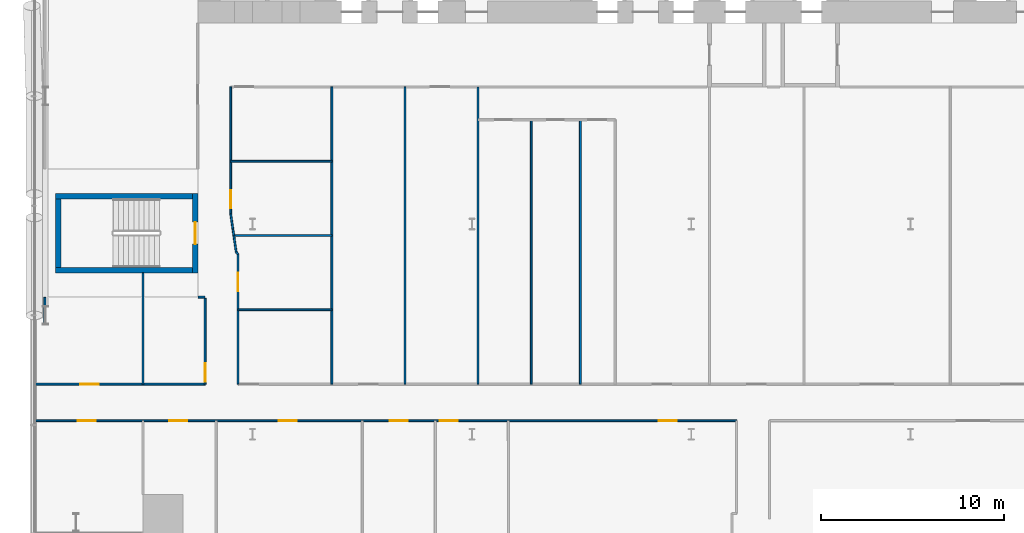
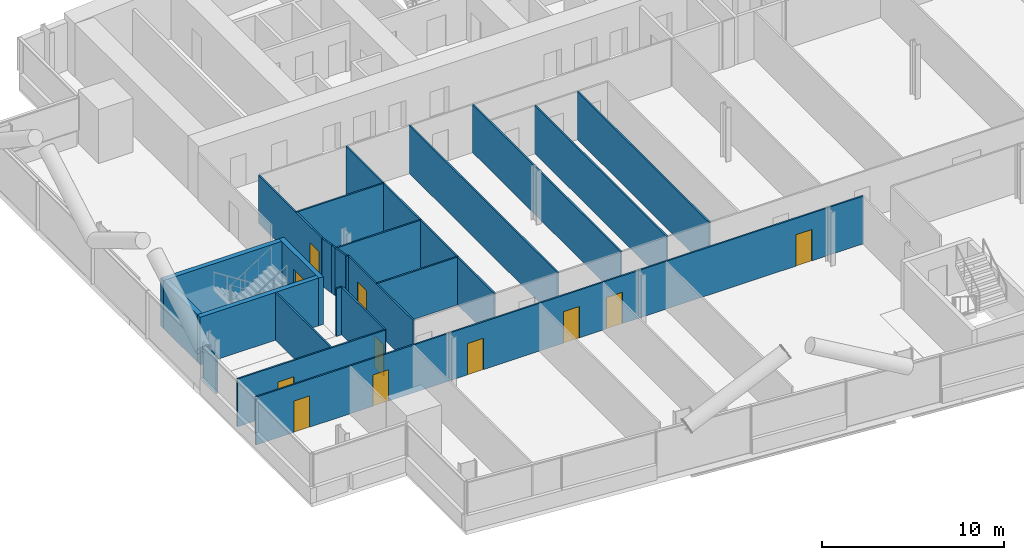
# One storey, part 13 of 27: 24 walls, 11 doors, 11 openings.
"""IFC4 building model written with IfcOpenShell, lengths in metres."""

from ifc_helpers import new_model, si_unit, direction, frame, frame_2d, origin, place, context, subcontext, project, spatial, rectangle, extrude, material, layer, layer_set, type_object, element, fill, save


model = new_model("IFC4")

# Units and contexts
model_context = context("Model", 3, precision=1e-05, world=origin(), true_north=direction((0.0, 1.0)))
body_context = subcontext(model_context, "Body", "Model", "MODEL_VIEW")
ifc_project = project(units=[si_unit("LENGTHUNIT", "METRE"), si_unit("AREAUNIT", "SQUARE_METRE"), si_unit("VOLUMEUNIT", "CUBIC_METRE"), si_unit("PLANEANGLEUNIT", "RADIAN"), si_unit("MASSUNIT", "GRAM", prefix="KILO")], contexts=[model_context])

# Site, building, storey
site_placement = place(None, origin())
site = spatial("IfcSite", under=ifc_project, at=site_placement, CompositionType="ELEMENT")
building_placement = place(site_placement, origin())
building = spatial("IfcBuilding", under=site, at=building_placement, Name="Wharfspan Tower", CompositionType="ELEMENT")
storey_placement = place(building_placement, frame((0.0, 0.0, 45.100098)))
storey = spatial("IfcBuildingStorey", under=building, at=storey_placement, Name="L07", CompositionType="ELEMENT", Elevation=45.100098)

# Wall, openings, doors
ifc_material_1 = material(Name="Gypsum board on steel studs", Category="steel")
ifc_layer_1 = layer(ifc_material_1, 0.100098)
ifc_layer_set_1 = layer_set([ifc_layer_1], Name="Gypsum board on steel studs")
wall_type_1 = type_object("IfcWallType", Name="Compartment wall 100 EI 60", PredefinedType="PARTITIONING", material=ifc_layer_set_1)
wall_1_placement = place(storey_placement, frame((0.02002, 12.235107, 0.0), z_axis=(0.0, 0.0, 1.0), x_axis=(1.0, 0.0, 0.0)))
wall_1 = element("IfcWall", 1, at=wall_1_placement, inside=storey, type_object=wall_type_1, Name="Partition L07.w001", PredefinedType="PARTITIONING", context=body_context, shape_type="SweptSolid", body=[
    extrude(rectangle(XDim=38.459961, YDim=0.100098, at=frame_2d((19.22998, 0.0))), origin(), (0.0, 0.0, 1.0), 3.199951),
])
opening_1_placement = place(wall_1_placement, frame((2.405029, 0.0, 0.0)))
opening_1 = element("IfcOpeningElement", 2, at=opening_1_placement, cuts=wall_1, Name="Opening A1-02", PredefinedType="OPENING", context=body_context, shape_type="SweptSolid", body=[
    extrude(rectangle(XDim=1.0, YDim=2.100098, at=frame_2d((0.5, 1.050049))), frame((0.0, 0.060059, 0.0), z_axis=(0.0, -1.0, 0.0), x_axis=(1.0, 0.0, 0.0)), (0.0, 0.0, 1.0), 0.120117),
])
opening_2_placement = place(wall_1_placement, frame((7.405029, 0.0, 0.0)))
opening_2 = element("IfcOpeningElement", 3, at=opening_2_placement, cuts=wall_1, Name="Opening A1-03", PredefinedType="OPENING", context=body_context, shape_type="SweptSolid", body=[
    extrude(rectangle(XDim=1.0, YDim=2.100098, at=frame_2d((0.5, 1.050049))), frame((0.0, 0.060059, 0.0), z_axis=(0.0, -1.0, 0.0), x_axis=(1.0, 0.0, 0.0)), (0.0, 0.0, 1.0), 0.120117),
])
opening_3_placement = place(wall_1_placement, frame((13.405029, 0.0, 0.0)))
opening_3 = element("IfcOpeningElement", 4, at=opening_3_placement, cuts=wall_1, Name="Opening A1-04", PredefinedType="OPENING", context=body_context, shape_type="SweptSolid", body=[
    extrude(rectangle(XDim=1.0, YDim=2.100098, at=frame_2d((0.5, 1.050049))), frame((0.0, 0.060059, 0.0), z_axis=(0.0, -1.0, 0.0), x_axis=(1.0, 0.0, 0.0)), (0.0, 0.0, 1.0), 0.120117),
])
opening_4_placement = place(wall_1_placement, frame((19.47998, 0.0, 0.0)))
opening_4 = element("IfcOpeningElement", 5, at=opening_4_placement, cuts=wall_1, Name="Opening A1-05", PredefinedType="OPENING", context=body_context, shape_type="SweptSolid", body=[
    extrude(rectangle(XDim=1.0, YDim=2.100098, at=frame_2d((0.5, 1.050049))), frame((0.0, 0.060059, 0.0), z_axis=(0.0, -1.0, 0.0), x_axis=(1.0, 0.0, 0.0)), (0.0, 0.0, 1.0), 0.120117),
])
opening_5_placement = place(wall_1_placement, frame((22.205078, 0.0, 0.0)))
opening_5 = element("IfcOpeningElement", 6, at=opening_5_placement, cuts=wall_1, Name="Opening A1-06", PredefinedType="OPENING", context=body_context, shape_type="SweptSolid", body=[
    extrude(rectangle(XDim=1.0, YDim=2.100098, at=frame_2d((0.5, 1.050049))), frame((0.0, 0.060059, 0.0), z_axis=(0.0, -1.0, 0.0), x_axis=(1.0, 0.0, 0.0)), (0.0, 0.0, 1.0), 0.120117),
])
opening_6_placement = place(wall_1_placement, frame((34.199951, 0.0, 0.0)))
opening_6 = element("IfcOpeningElement", 7, at=opening_6_placement, cuts=wall_1, Name="Opening A1-07", PredefinedType="OPENING", context=body_context, shape_type="SweptSolid", body=[
    extrude(rectangle(XDim=1.0, YDim=2.100098, at=frame_2d((0.5, 1.050049))), frame((0.0, 0.060059, 0.0), z_axis=(0.0, -1.0, 0.0), x_axis=(1.0, 0.0, 0.0)), (0.0, 0.0, 1.0), 0.120117),
])
ifc_material_2 = material(Name="Fire-rated timber door leaf in steel frame", Category="steel")
door_type_1 = type_object("IfcDoorType", Name="Door 1000 FD30S Left", OperationType="SINGLE_SWING_LEFT", PredefinedType="DOOR", material=ifc_material_2)
door_1_placement = place(opening_1_placement, origin())
door_1 = element("IfcDoor", 8, at=door_1_placement, inside=storey, type_object=door_type_1, Name="Door A1-02", OperationType="SINGLE_SWING_LEFT", OverallHeight=2.100098, OverallWidth=1.0, PredefinedType="DOOR", context=body_context, shape_type="SweptSolid", body=[
    extrude(rectangle(XDim=1.0, YDim=2.100098, at=frame_2d((0.5, 1.050049))), frame((0.0, 0.024902, 0.0), z_axis=(0.0, -1.0, 0.0), x_axis=(1.0, 0.0, 0.0)), (0.0, 0.0, 1.0), 0.050049),
])
fill(opening_1, door_1)
door_2_placement = place(opening_2_placement, origin())
door_2 = element("IfcDoor", 9, at=door_2_placement, inside=storey, type_object=door_type_1, Name="Door A1-03", OperationType="SINGLE_SWING_LEFT", OverallHeight=2.100098, OverallWidth=1.0, PredefinedType="DOOR", context=body_context, shape_type="SweptSolid", body=[
    extrude(rectangle(XDim=1.0, YDim=2.100098, at=frame_2d((0.5, 1.050049))), frame((0.0, 0.024902, 0.0), z_axis=(0.0, -1.0, 0.0), x_axis=(1.0, 0.0, 0.0)), (0.0, 0.0, 1.0), 0.050049),
])
fill(opening_2, door_2)
door_3_placement = place(opening_3_placement, origin())
door_3 = element("IfcDoor", 10, at=door_3_placement, inside=storey, type_object=door_type_1, Name="Door A1-04", OperationType="SINGLE_SWING_LEFT", OverallHeight=2.100098, OverallWidth=1.0, PredefinedType="DOOR", context=body_context, shape_type="SweptSolid", body=[
    extrude(rectangle(XDim=1.0, YDim=2.100098, at=frame_2d((0.5, 1.050049))), frame((0.0, 0.024902, 0.0), z_axis=(0.0, -1.0, 0.0), x_axis=(1.0, 0.0, 0.0)), (0.0, 0.0, 1.0), 0.050049),
])
fill(opening_3, door_3)
door_type_2 = type_object("IfcDoorType", Name="Door 1000 FD30S Right", OperationType="SINGLE_SWING_RIGHT", PredefinedType="DOOR", material=ifc_material_2)
door_4_placement = place(opening_4_placement, origin())
door_4 = element("IfcDoor", 11, at=door_4_placement, inside=storey, type_object=door_type_2, Name="Door A1-05", OperationType="SINGLE_SWING_RIGHT", OverallHeight=2.100098, OverallWidth=1.0, PredefinedType="DOOR", context=body_context, shape_type="SweptSolid", body=[
    extrude(rectangle(XDim=1.0, YDim=2.100098, at=frame_2d((0.5, 1.050049))), frame((0.0, 0.024902, 0.0), z_axis=(0.0, -1.0, 0.0), x_axis=(1.0, 0.0, 0.0)), (0.0, 0.0, 1.0), 0.050049),
])
fill(opening_4, door_4)
door_5_placement = place(opening_5_placement, origin())
door_5 = element("IfcDoor", 12, at=door_5_placement, inside=storey, type_object=door_type_2, Name="Door A1-06", OperationType="SINGLE_SWING_RIGHT", OverallHeight=2.100098, OverallWidth=1.0, PredefinedType="DOOR", context=body_context, shape_type="SweptSolid", body=[
    extrude(rectangle(XDim=1.0, YDim=2.100098, at=frame_2d((0.5, 1.050049))), frame((0.0, 0.024902, 0.0), z_axis=(0.0, -1.0, 0.0), x_axis=(1.0, 0.0, 0.0)), (0.0, 0.0, 1.0), 0.050049),
])
fill(opening_5, door_5)
door_6_placement = place(opening_6_placement, origin())
door_6 = element("IfcDoor", 13, at=door_6_placement, inside=storey, type_object=door_type_2, Name="Door A1-07", OperationType="SINGLE_SWING_RIGHT", OverallHeight=2.100098, OverallWidth=1.0, PredefinedType="DOOR", context=body_context, shape_type="SweptSolid", body=[
    extrude(rectangle(XDim=1.0, YDim=2.100098, at=frame_2d((0.5, 1.050049))), frame((0.0, 0.024902, 0.0), z_axis=(0.0, -1.0, 0.0), x_axis=(1.0, 0.0, 0.0)), (0.0, 0.0, 1.0), 0.050049),
])
fill(opening_6, door_6)

# Wall, opening, door
wall_2_placement = place(storey_placement, frame((0.02002, 14.23999, 0.0), z_axis=(0.0, 0.0, 1.0), x_axis=(1.0, 0.0, 0.0)))
wall_2 = element("IfcWall", 14, at=wall_2_placement, inside=storey, type_object=wall_type_1, Name="Partition L07.w002", PredefinedType="PARTITIONING", context=body_context, shape_type="SweptSolid", body=[
    extrude(rectangle(XDim=9.379883, YDim=0.100098, at=frame_2d((4.689941, 0.0))), origin(), (0.0, 0.0, 1.0), 3.199951),
])
opening_7_placement = place(wall_2_placement, frame((2.560059, 0.0, 0.0)))
opening_7 = element("IfcOpeningElement", 15, at=opening_7_placement, cuts=wall_2, Name="Opening A1-10", PredefinedType="OPENING", context=body_context, shape_type="SweptSolid", body=[
    extrude(rectangle(XDim=1.0, YDim=2.100098, at=frame_2d((0.5, 1.050049))), frame((0.0, 0.060059, 0.0), z_axis=(0.0, -1.0, 0.0), x_axis=(1.0, 0.0, 0.0)), (0.0, 0.0, 1.0), 0.120117),
])
door_7_placement = place(opening_7_placement, origin())
door_7 = element("IfcDoor", 16, at=door_7_placement, inside=storey, type_object=door_type_1, Name="Door A1-10", OperationType="SINGLE_SWING_LEFT", OverallHeight=2.100098, OverallWidth=1.0, PredefinedType="DOOR", context=body_context, shape_type="SweptSolid", body=[
    extrude(rectangle(XDim=1.0, YDim=2.100098, at=frame_2d((0.5, 1.050049))), frame((0.0, 0.024902, 0.0), z_axis=(0.0, -1.0, 0.0), x_axis=(1.0, 0.0, 0.0)), (0.0, 0.0, 1.0), 0.050049),
])
fill(opening_7, door_7)

# Walls
wall_3_placement = place(storey_placement, frame((6.0, 14.23999, 0.0), z_axis=(0.0, 0.0, 1.0), x_axis=(0.0, 1.0, 0.0)))
element("IfcWall", 17, at=wall_3_placement, inside=storey, type_object=wall_type_1, Name="Partition L07.w007", PredefinedType="PARTITIONING", context=body_context, shape_type="SweptSolid", body=[
    extrude(rectangle(XDim=6.084961, YDim=0.100098, at=frame_2d((3.04248, 0.0))), origin(), (0.0, 0.0, 1.0), 3.199951),
])
wall_4_placement = place(storey_placement, frame((9.02002, 19.0, 0.0), z_axis=(0.0, 0.0, 1.0), x_axis=(1.0, 0.0, 0.0)))
element("IfcWall", 18, at=wall_4_placement, inside=storey, type_object=wall_type_1, Name="Partition L07.w009", PredefinedType="PARTITIONING", context=body_context, shape_type="SweptSolid", body=[
    extrude(rectangle(XDim=0.369873, YDim=0.100098, at=frame_2d((0.185059, 0.0))), origin(), (0.0, 0.0, 1.0), 3.199951),
])

# Wall, opening, door
wall_5_placement = place(storey_placement, frame((9.399902, 14.23999, 0.0), z_axis=(0.0, 0.0, 1.0), x_axis=(0.0, 1.0, 0.0)))
wall_5 = element("IfcWall", 19, at=wall_5_placement, inside=storey, type_object=wall_type_1, Name="Partition L07.w010", PredefinedType="PARTITIONING", context=body_context, shape_type="SweptSolid", body=[
    extrude(rectangle(XDim=4.689941, YDim=0.100098, at=frame_2d((2.344971, 0.0))), origin(), (0.0, 0.0, 1.0), 3.199951),
])
opening_8_placement = place(wall_5_placement, frame((0.140381, 0.0, 0.0)))
opening_8 = element("IfcOpeningElement", 20, at=opening_8_placement, cuts=wall_5, Name="Opening A1-19", PredefinedType="OPENING", context=body_context, shape_type="SweptSolid", body=[
    extrude(rectangle(XDim=1.0, YDim=2.100098, at=frame_2d((0.5, 1.050049))), frame((0.0, 0.060059, 0.0), z_axis=(0.0, -1.0, 0.0), x_axis=(1.0, 0.0, 0.0)), (0.0, 0.0, 1.0), 0.120117),
])
door_8_placement = place(opening_8_placement, origin())
door_8 = element("IfcDoor", 21, at=door_8_placement, inside=storey, type_object=door_type_1, Name="Door A1-19", OperationType="SINGLE_SWING_LEFT", OverallHeight=2.100098, OverallWidth=1.0, PredefinedType="DOOR", context=body_context, shape_type="SweptSolid", body=[
    extrude(rectangle(XDim=1.0, YDim=2.100098, at=frame_2d((0.5, 1.050049))), frame((0.0, 0.024902, 0.0), z_axis=(0.0, -1.0, 0.0), x_axis=(1.0, 0.0, 0.0)), (0.0, 0.0, 1.0), 0.050049),
])
fill(opening_8, door_8)

wall_6_placement = place(storey_placement, frame((10.800049, 23.550049, 0.0), z_axis=(0.0, 0.0, 1.0), x_axis=(0.0, 1.0, 0.0)))
wall_6 = element("IfcWall", 22, at=wall_6_placement, inside=storey, type_object=wall_type_1, Name="Partition L07.w012", PredefinedType="PARTITIONING", context=body_context, shape_type="SweptSolid", body=[
    extrude(rectangle(XDim=6.949951, YDim=0.100098, at=frame_2d((3.475098, 0.0))), origin(), (0.0, 0.0, 1.0), 3.199951),
])
opening_9_placement = place(wall_6_placement, frame((0.307861, 0.0, 0.0)))
opening_9 = element("IfcOpeningElement", 23, at=opening_9_placement, cuts=wall_6, Name="Opening A1-21", PredefinedType="OPENING", context=body_context, shape_type="SweptSolid", body=[
    extrude(rectangle(XDim=1.0, YDim=2.100098, at=frame_2d((0.5, 1.050049))), frame((0.0, 0.060059, 0.0), z_axis=(0.0, -1.0, 0.0), x_axis=(1.0, 0.0, 0.0)), (0.0, 0.0, 1.0), 0.120117),
])
door_9_placement = place(opening_9_placement, origin())
door_9 = element("IfcDoor", 24, at=door_9_placement, inside=storey, type_object=door_type_1, Name="Door A1-21", OperationType="SINGLE_SWING_LEFT", OverallHeight=2.100098, OverallWidth=1.0, PredefinedType="DOOR", context=body_context, shape_type="SweptSolid", body=[
    extrude(rectangle(XDim=1.0, YDim=2.100098, at=frame_2d((0.5, 1.050049))), frame((0.0, 0.024902, 0.0), z_axis=(0.0, -1.0, 0.0), x_axis=(1.0, 0.0, 0.0)), (0.0, 0.0, 1.0), 0.050049),
])
fill(opening_9, door_9)

# Walls
wall_7_placement = place(storey_placement, frame((10.800049, 26.435059, 0.0), z_axis=(0.0, 0.0, 1.0), x_axis=(1.0, 0.0, 0.0)))
element("IfcWall", 25, at=wall_7_placement, inside=storey, type_object=wall_type_1, Name="Partition L07.w013", PredefinedType="PARTITIONING", context=body_context, shape_type="SweptSolid", body=[
    extrude(rectangle(XDim=5.534912, YDim=0.100098, at=frame_2d((2.767578, 0.0))), origin(), (0.0, 0.0, 1.0), 3.199951),
])
wall_8_placement = place(storey_placement, frame((10.919922, 22.705078, 0.0), z_axis=(0.0, 0.0, 1.0), x_axis=(-0.14046, 0.990086, 0.0)))
element("IfcWall", 26, at=wall_8_placement, inside=storey, type_object=wall_type_1, Name="Partition L07.w015", PredefinedType="PARTITIONING", context=body_context, shape_type="SweptSolid", body=[
    extrude(rectangle(XDim=0.853516, YDim=0.100098, at=frame_2d((0.426758, 0.0))), origin(), (0.0, 0.0, 1.0), 3.199951),
])
wall_9_placement = place(storey_placement, frame((10.969971, 22.370117, 0.0), z_axis=(0.0, 0.0, 1.0), x_axis=(-0.147776, 0.989018, 0.0)))
element("IfcWall", 27, at=wall_9_placement, inside=storey, type_object=wall_type_1, Name="Partition L07.w016", PredefinedType="PARTITIONING", context=body_context, shape_type="SweptSolid", body=[
    extrude(rectangle(XDim=0.338623, YDim=0.100098, at=frame_2d((0.169434, 0.0))), origin(), (0.0, 0.0, 1.0), 3.199951),
])
wall_10_placement = place(storey_placement, frame((10.969971, 22.370117, 0.0), z_axis=(0.0, 0.0, 1.0), x_axis=(1.0, 0.0, 0.0)))
element("IfcWall", 28, at=wall_10_placement, inside=storey, type_object=wall_type_1, Name="Partition L07.w017", PredefinedType="PARTITIONING", context=body_context, shape_type="SweptSolid", body=[
    extrude(rectangle(XDim=5.36499, YDim=0.100098, at=frame_2d((2.682617, 0.0))), origin(), (0.0, 0.0, 1.0), 3.199951),
])
wall_11_placement = place(storey_placement, frame((11.100098, 21.465088, 0.0), z_axis=(0.0, 0.0, 1.0), x_axis=(-0.142318, 0.989818, 0.0)))
element("IfcWall", 29, at=wall_11_placement, inside=storey, type_object=wall_type_1, Name="Partition L07.w018", PredefinedType="PARTITIONING", context=body_context, shape_type="SweptSolid", body=[
    extrude(rectangle(XDim=0.914307, YDim=0.100098, at=frame_2d((0.457031, 0.0))), origin(), (0.0, 0.0, 1.0), 3.199951),
])

# Wall, opening, door
wall_12_placement = place(storey_placement, frame((11.199951, 14.23999, 0.0), z_axis=(0.0, 0.0, 1.0), x_axis=(0.0, 1.0, 0.0)))
wall_12 = element("IfcWall", 30, at=wall_12_placement, inside=storey, type_object=wall_type_1, Name="Partition L07.w019", PredefinedType="PARTITIONING", context=body_context, shape_type="SweptSolid", body=[
    extrude(rectangle(XDim=7.110107, YDim=0.100098, at=frame_2d((3.555176, 0.0))), origin(), (0.0, 0.0, 1.0), 3.199951),
])
opening_10_placement = place(wall_12_placement, frame((5.084961, 0.0, 0.0)))
opening_10 = element("IfcOpeningElement", 31, at=opening_10_placement, cuts=wall_12, Name="Opening A1-20", PredefinedType="OPENING", context=body_context, shape_type="SweptSolid", body=[
    extrude(rectangle(XDim=1.0, YDim=2.100098, at=frame_2d((0.5, 1.050049))), frame((0.0, 0.060059, 0.0), z_axis=(0.0, -1.0, 0.0), x_axis=(1.0, 0.0, 0.0)), (0.0, 0.0, 1.0), 0.120117),
])
door_10_placement = place(opening_10_placement, origin())
door_10 = element("IfcDoor", 32, at=door_10_placement, inside=storey, type_object=door_type_2, Name="Door A1-20", OperationType="SINGLE_SWING_RIGHT", OverallHeight=2.100098, OverallWidth=1.0, PredefinedType="DOOR", context=body_context, shape_type="SweptSolid", body=[
    extrude(rectangle(XDim=1.0, YDim=2.100098, at=frame_2d((0.5, 1.050049))), frame((0.0, 0.024902, 0.0), z_axis=(0.0, -1.0, 0.0), x_axis=(1.0, 0.0, 0.0)), (0.0, 0.0, 1.0), 0.050049),
])
fill(opening_10, door_10)

# Walls
wall_13_placement = place(storey_placement, frame((11.199951, 18.304932, 0.0), z_axis=(0.0, 0.0, 1.0), x_axis=(1.0, 0.0, 0.0)))
element("IfcWall", 33, at=wall_13_placement, inside=storey, type_object=wall_type_1, Name="Partition L07.w021", PredefinedType="PARTITIONING", context=body_context, shape_type="SweptSolid", body=[
    extrude(rectangle(XDim=5.13501, YDim=0.100098, at=frame_2d((2.567383, 0.0))), origin(), (0.0, 0.0, 1.0), 3.199951),
])
wall_14_placement = place(storey_placement, frame((11.199951, 21.350098, 0.0), z_axis=(0.0, 0.0, 1.0), x_axis=(-0.65566, 0.755051, 0.0)))
element("IfcWall", 34, at=wall_14_placement, inside=storey, type_object=wall_type_1, Name="Partition L07.w022", PredefinedType="PARTITIONING", context=body_context, shape_type="SweptSolid", body=[
    extrude(rectangle(XDim=0.152344, YDim=0.100098, at=frame_2d((0.076172, 0.0))), origin(), (0.0, 0.0, 1.0), 3.199951),
])
for number, where, z_axis, x_axis, name in (
    (35, (16.334961, 14.23999, 0.0), (0.0, 0.0, 1.0), (0.0, 1.0, 0.0), "Partition L07.w023"),
    (36, (20.334961, 14.23999, 0.0), (0.0, 0.0, 1.0), (0.0, 1.0, 0.0), "Partition L07.w025"),
):
    element("IfcWall", number, at=place(storey_placement, frame(where, z_axis=z_axis, x_axis=x_axis)), inside=storey, type_object=wall_type_1, Name=name, PredefinedType="PARTITIONING", context=body_context, shape_type="SweptSolid", body=[
        extrude(rectangle(XDim=16.26001, YDim=0.100098, at=frame_2d((8.129883, 0.0))), origin(), (0.0, 0.0, 1.0), 3.199951),
    ])
wall_15_placement = place(storey_placement, frame((24.334961, 14.23999, 0.0), z_axis=(0.0, 0.0, 1.0), x_axis=(0.0, 1.0, 0.0)))
element("IfcWall", 37, at=wall_15_placement, inside=storey, type_object=wall_type_1, Name="Partition L07.w028", PredefinedType="PARTITIONING", context=body_context, shape_type="SweptSolid", body=[
    extrude(rectangle(XDim=16.25, YDim=0.100098, at=frame_2d((8.125, 0.0))), origin(), (0.0, 0.0, 1.0), 3.199951),
])
for number, where, z_axis, x_axis, name in (
    (38, (27.245117, 14.23999, 0.0), (0.0, 0.0, 1.0), (0.0, 1.0, 0.0), "Partition L07.w031"),
    (39, (29.935059, 14.23999, 0.0), (0.0, 0.0, 1.0), (0.0, 1.0, 0.0), "Partition L07.w032"),
):
    element("IfcWall", number, at=place(storey_placement, frame(where, z_axis=z_axis, x_axis=x_axis)), inside=storey, type_object=wall_type_1, Name=name, PredefinedType="PARTITIONING", context=body_context, shape_type="SweptSolid", body=[
        extrude(rectangle(XDim=14.459961, YDim=0.100098, at=frame_2d((7.22998, 0.0))), origin(), (0.0, 0.0, 1.0), 3.199951),
    ])
ifc_layer_2 = layer(ifc_material_1, 0.100098)
ifc_layer_set_2 = layer_set([ifc_layer_2], Name="Gypsum board on steel studs")
wall_type_2 = type_object("IfcWallType", Name="Partition 100", PredefinedType="PARTITIONING", material=ifc_layer_set_2)
wall_16_placement = place(storey_placement, frame((0.629883, 17.5, 0.0), z_axis=(0.0, 0.0, 1.0), x_axis=(0.0, 1.0, 0.0)))
element("IfcWall", 40, at=wall_16_placement, inside=storey, type_object=wall_type_2, Name="Partition L07.w003", PredefinedType="PARTITIONING", context=body_context, shape_type="SweptSolid", body=[
    extrude(rectangle(XDim=1.47998, YDim=0.100098, at=frame_2d((0.73999, 0.0))), origin(), (0.0, 0.0, 1.0), 2.579834),
])

# Wall, opening, door
ifc_material_3 = material(Name="Concrete C40/50", Category="concrete")
ifc_layer_3 = layer(ifc_material_3, 0.300049)
ifc_layer_set_3 = layer_set([ifc_layer_3], Name="Concrete C40/50")
wall_type_3 = type_object("IfcWallType", Name="Stair core wall 300", PredefinedType="SHEAR", material=ifc_layer_set_3)
wall_17_placement = place(storey_placement, frame((8.850098, 20.324951, 0.0), z_axis=(0.0, 0.0, 1.0), x_axis=(0.0, 1.0, 0.0)))
wall_17 = element("IfcWall", 41, at=wall_17_placement, inside=storey, type_object=wall_type_3, Name="ST3 stair enclosure wall L07", PredefinedType="SHEAR", context=body_context, shape_type="SweptSolid", body=[
    extrude(rectangle(XDim=4.350098, YDim=0.300049, at=frame_2d((2.175049, 0.0))), origin(), (0.0, 0.0, 1.0), 3.199951),
])
opening_11_placement = place(wall_17_placement, frame((1.574951, 0.0, 0.0)))
opening_11 = element("IfcOpeningElement", 42, at=opening_11_placement, cuts=wall_17, Name="Opening SD3.L07", PredefinedType="OPENING", context=body_context, shape_type="SweptSolid", body=[
    extrude(rectangle(XDim=1.199951, YDim=2.100098, at=frame_2d((0.600098, 1.050049))), frame((0.0, 0.159912, 0.0), z_axis=(0.0, -1.0, 0.0), x_axis=(1.0, 0.0, 0.0)), (0.0, 0.0, 1.0), 0.320068),
])
ifc_material_4 = material(Name="Steel door leaf", Category="steel")
door_type_3 = type_object("IfcDoorType", Name="Stair door 1200x2100", OperationType="SINGLE_SWING_LEFT", PredefinedType="DOOR", material=ifc_material_4)
door_11_placement = place(opening_11_placement, origin())
door_11 = element("IfcDoor", 43, at=door_11_placement, inside=storey, type_object=door_type_3, Name="sd:L07:ST3z1", OperationType="SINGLE_SWING_RIGHT", OverallHeight=2.100098, OverallWidth=1.199951, PredefinedType="DOOR", context=body_context, shape_type="SweptSolid", body=[
    extrude(rectangle(XDim=1.199951, YDim=2.100098, at=frame_2d((0.600098, 1.050049))), frame((0.0, 0.024902, 0.0), z_axis=(0.0, -1.0, 0.0), x_axis=(1.0, 0.0, 0.0)), (0.0, 0.0, 1.0), 0.050049),
])
fill(opening_11, door_11)

# Walls
for number, where, z_axis, x_axis, name in (
    (44, (1.199951, 20.475098, 0.0), (0.0, 0.0, 1.0), (1.0, 0.0, 0.0), "ST3 stair enclosure wall L07"),
    (45, (1.199951, 24.524902, 0.0), (0.0, 0.0, 1.0), (1.0, 0.0, 0.0), "ST3 stair enclosure wall L07"),
):
    element("IfcWall", number, at=place(storey_placement, frame(where, z_axis=z_axis, x_axis=x_axis)), inside=storey, type_object=wall_type_3, Name=name, PredefinedType="SHEAR", context=body_context, shape_type="SweptSolid", body=[
        extrude(rectangle(XDim=7.5, YDim=0.300049, at=frame_2d((3.75, 0.0))), origin(), (0.0, 0.0, 1.0), 3.199951),
    ])
wall_18_placement = place(storey_placement, frame((1.350098, 20.625, 0.0), z_axis=(0.0, 0.0, 1.0), x_axis=(0.0, 1.0, 0.0)))
element("IfcWall", 46, at=wall_18_placement, inside=storey, type_object=wall_type_3, Name="ST3 stair enclosure wall L07", PredefinedType="SHEAR", context=body_context, shape_type="SweptSolid", body=[
    extrude(rectangle(XDim=3.75, YDim=0.300049, at=frame_2d((1.875, 0.0))), origin(), (0.0, 0.0, 1.0), 3.199951),
])

save(model, "model.ifc")
